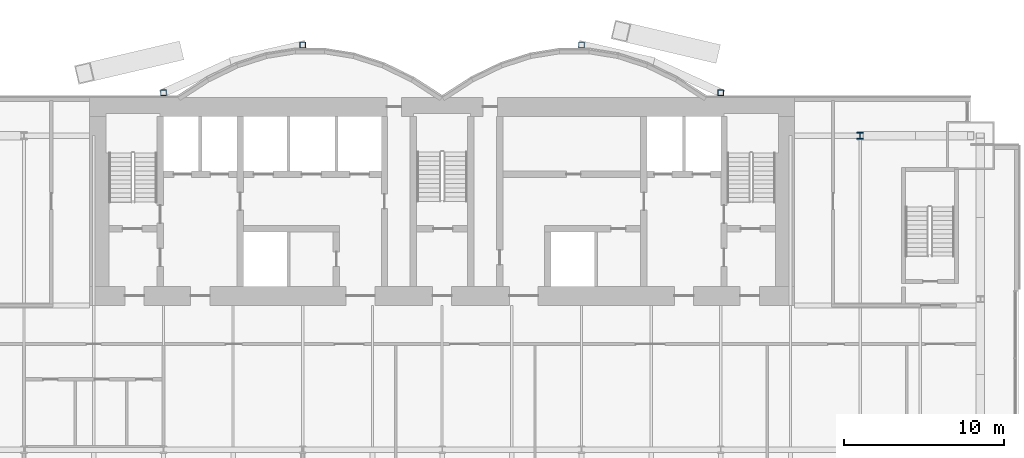
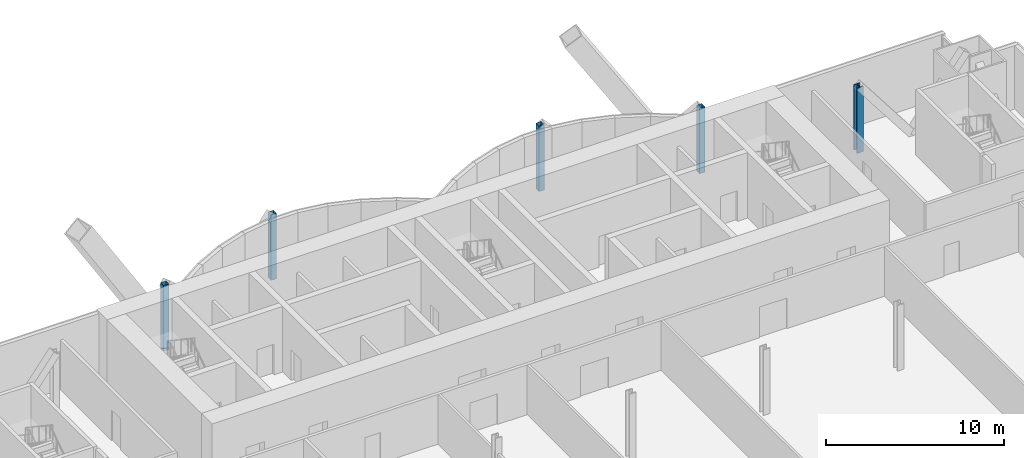
# One storey, part 2 of 23: 5 columns.
"""IFC4 building model written with IfcOpenShell, lengths in metres."""

from ifc_helpers import new_model, si_unit, direction, frame, origin, origin_2d, place, context, subcontext, project, spatial, hollow_rectangle, i_section, extrude, material, material_profile, profile_set, type_object, element, save


model = new_model("IFC4")

# Units and contexts
model_context = context("Model", 3, precision=1e-05, world=origin(), true_north=direction((0.0, 1.0)))
body_context = subcontext(model_context, "Body", "Model", "MODEL_VIEW")
ifc_project = project(units=[si_unit("LENGTHUNIT", "METRE"), si_unit("AREAUNIT", "SQUARE_METRE"), si_unit("VOLUMEUNIT", "CUBIC_METRE"), si_unit("PLANEANGLEUNIT", "RADIAN"), si_unit("MASSUNIT", "GRAM", prefix="KILO")], contexts=[model_context])

# Site, building, storey
site_placement = place(None, origin())
site = spatial("IfcSite", under=ifc_project, at=site_placement, CompositionType="ELEMENT")
building_placement = place(site_placement, origin())
building = spatial("IfcBuilding", under=site, at=building_placement, Name="Bicima Exchange Tower", CompositionType="ELEMENT")
storey_placement = place(building_placement, frame((0.0, 0.0, 62.0)))
storey = spatial("IfcBuildingStorey", under=building, at=storey_placement, Name="L12", CompositionType="ELEMENT", Elevation=62.0)

# Columns
ifc_material_1 = material(Name="Steel ASTM A992 Gr 50", Category="steel")
ifc_material_profile_1 = material_profile(ifc_material_1, i_section(OverallWidth=0.406494140625, OverallDepth=0.41650390625, WebThickness=0.030029296875, FlangeThickness=0.048095703125, at=origin_2d()))
ifc_profile_set_1 = profile_set([ifc_material_profile_1], Name="Steel ASTM A992 Gr 50")
column_type_1 = type_object("IfcColumnType", Name="Perimeter column W14x257", PredefinedType="COLUMN", material=ifc_profile_set_1)
column_placement = place(storey_placement, frame((26.10009765625, -2.39990234375, 0.0), z_axis=(0.0, 0.0, 1.0), x_axis=(1.0, 0.0, 0.0)))
element("IfcColumn", 1, at=column_placement, inside=storey, type_object=column_type_1, Name="Perimeter column grav+26.1r", PredefinedType="COLUMN", context=body_context, shape_type="SweptSolid", body=[
    extrude(i_section(OverallWidth=0.406494140625, OverallDepth=0.41650390625, WebThickness=0.030029296875, FlangeThickness=0.048095703125, at=origin_2d()), origin(), (0.0, 0.0, 1.0), 4.5),
])
ifc_material_2 = material(Name="Steel ASTM A572 Gr 50", Category="steel")
ifc_material_profile_2 = material_profile(ifc_material_2, hollow_rectangle(XDim=0.355712890625, YDim=0.355712890625, WallThickness=0.01171875, at=origin_2d()))
ifc_profile_set_2 = profile_set([ifc_material_profile_2], Name="Steel ASTM A572 Gr 50")
column_type_2 = type_object("IfcColumnType", Name="Rear pilaster HSS14x14x1/2", PredefinedType="COLUMN", material=ifc_profile_set_2)
for number, where, z_axis, x_axis, name in (
    (2, (-8.699951171875, 3.26904296875, 0.0), (0.0, 0.0, 1.0), (1.0, 0.0, 0.0), "Rear pilaster rexo-8.7r"),
    (3, (-17.39990234375, 0.278076171875, 0.0), (0.0, 0.0, 1.0), (1.0, 0.0, 0.0), "Rear pilaster rexo-17.4r"),
    (4, (8.699951171875, 3.26904296875, 0.0), (0.0, 0.0, 1.0), (1.0, 0.0, 0.0), "Rear pilaster rexo+8.7r"),
    (5, (17.39990234375, 0.278076171875, 0.0), (0.0, 0.0, 1.0), (1.0, 0.0, 0.0), "Rear pilaster rexo+17.4r"),
):
    element("IfcColumn", number, at=place(storey_placement, frame(where, z_axis=z_axis, x_axis=x_axis)), inside=storey, type_object=column_type_2, Name=name, PredefinedType="COLUMN", context=body_context, shape_type="SweptSolid", body=[
        extrude(hollow_rectangle(XDim=0.355712890625, YDim=0.355712890625, WallThickness=0.01171875, at=origin_2d()), origin(), (0.0, 0.0, 1.0), 4.5),
    ])

save(model, "model.ifc")
